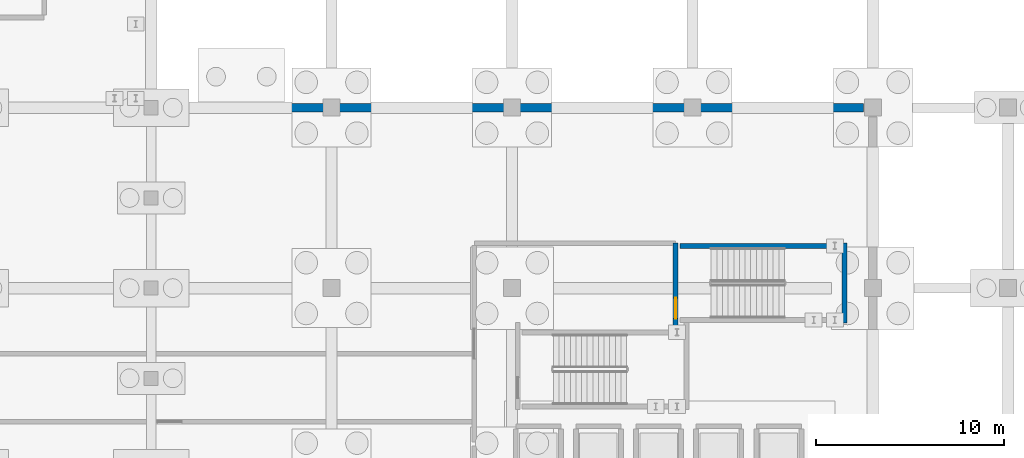
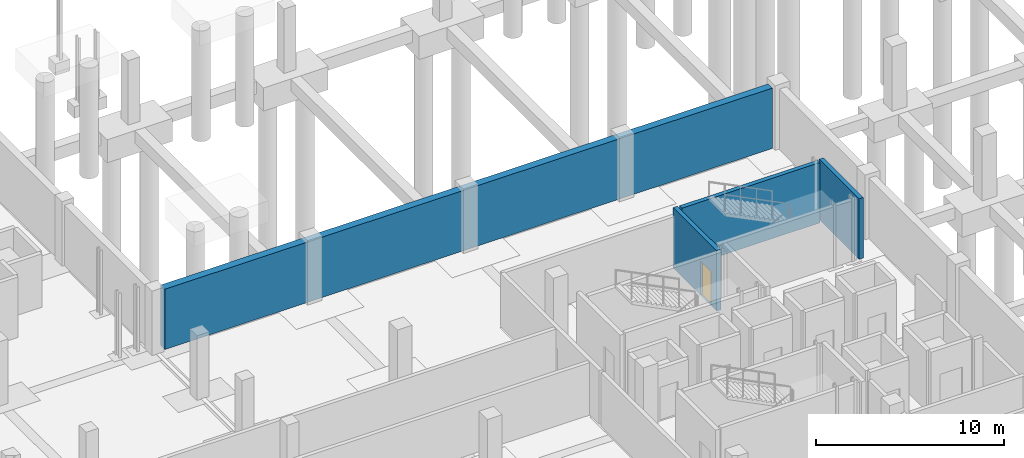
# One storey, part 44 of 54: 4 walls, 1 door, 1 opening.
"""IFC4 building model written with IfcOpenShell, lengths in metres."""

from ifc_helpers import new_model, si_unit, direction, frame, frame_2d, origin, place, context, subcontext, project, spatial, rectangle, extrude, material, layer, layer_set, type_object, element, fill, save


model = new_model("IFC4")

# Units and contexts
model_context = context("Model", 3, precision=1e-05, world=origin(), true_north=direction((0.0, 1.0)))
body_context = subcontext(model_context, "Body", "Model", "MODEL_VIEW")
ifc_project = project(units=[si_unit("LENGTHUNIT", "METRE"), si_unit("AREAUNIT", "SQUARE_METRE"), si_unit("VOLUMEUNIT", "CUBIC_METRE"), si_unit("PLANEANGLEUNIT", "RADIAN"), si_unit("MASSUNIT", "GRAM", prefix="KILO")], contexts=[model_context])

# Site, building, storey
site_placement = place(None, origin())
site = spatial("IfcSite", under=ifc_project, at=site_placement, CompositionType="ELEMENT")
building_placement = place(site_placement, origin())
building = spatial("IfcBuilding", under=site, at=building_placement, Name="Zevrakil Square Congress Hotel", CompositionType="ELEMENT")
storey_placement = place(building_placement, frame((0.0, 0.0, -8.39990234375)))
storey = spatial("IfcBuildingStorey", under=building, at=storey_placement, Name="B2", CompositionType="ELEMENT", Elevation=-8.39990234375)

# Wall
ifc_material_1 = material(Name="Concrete C40/50", Category="concrete")
ifc_layer_1 = layer(ifc_material_1, 0.449951171875)
ifc_layer_set_1 = layer_set([ifc_layer_1], Name="Concrete C40/50")
wall_type_1 = type_object("IfcWallType", Name="WAL-RET-450", PredefinedType="SOLIDWALL", material=ifc_layer_set_1)
wall_1_placement = place(storey_placement, frame((155.5, 45.60009765625, 0.0), z_axis=(0.0, 0.0, 1.0), x_axis=(-1.0, 0.0, 0.0)))
element("IfcWall", 1, at=wall_1_placement, inside=storey, type_object=wall_type_1, Name="B2 perimeter concrete retaining wall 3", PredefinedType="SOLIDWALL", context=body_context, shape_type="SweptSolid", body=[
    extrude(rectangle(XDim=37.39990234375, YDim=0.449951171875, at=frame_2d((18.699951171875, 0.0))), origin(), (0.0, 0.0, 1.0), 3.929931640625),
])

# Wall, opening, door
ifc_material_2 = material(Name="Concrete C40/50", Category="concrete")
ifc_layer_2 = layer(ifc_material_2, 0.260009765625)
ifc_layer_set_2 = layer_set([ifc_layer_2], Name="Concrete C40/50")
wall_type_2 = type_object("IfcWallType", Name="WAL-SHAFT-260", PredefinedType="SHEAR", material=ifc_layer_set_2)
wall_2_placement = place(storey_placement, frame((145.5048828125, 33.764892578125, 0.0), z_axis=(0.0, 0.0, 1.0), x_axis=(0.0, 1.0, 0.0)))
wall_2 = element("IfcWall", 2, at=wall_2_placement, inside=storey, type_object=wall_type_2, Name="B2 ST03 stair shaft W wall", PredefinedType="SHEAR", context=body_context, shape_type="SweptSolid", body=[
    extrude(rectangle(XDim=4.64501953125, YDim=0.260009765625, at=frame_2d((2.322509765625, 0.0))), origin(), (0.0, 0.0, 1.0), 3.929931640625),
])
opening_placement = place(wall_2_placement, frame((0.610107421875, 0.0, 0.0)))
opening = element("IfcOpeningElement", 3, at=opening_placement, cuts=wall_2, Name="Opening SD-ST03", PredefinedType="OPENING", context=body_context, shape_type="SweptSolid", body=[
    extrude(rectangle(XDim=1.10009765625, YDim=2.199951171875, at=frame_2d((0.550048828125, 1.10009765625))), frame((0.0, 0.14013671875, 0.0), z_axis=(0.0, -1.0, 0.0), x_axis=(1.0, 0.0, 0.0)), (0.0, 0.0, 1.0), 0.280029296875),
])
ifc_material_3 = material(Name="Steel S355 Fire-Rated Door", Category="steel")
door_type = type_object("IfcDoorType", Name="DOR-STAIR-FD90-110", OperationType="NOTDEFINED", PredefinedType="DOOR", material=ifc_material_3)
door_placement = place(opening_placement, origin())
door = element("IfcDoor", 4, at=door_placement, inside=storey, type_object=door_type, Name="B2 ST03 protected stair fire door", OperationType="SINGLE_SWING_RIGHT", OverallHeight=2.199951171875, OverallWidth=1.10009765625, PredefinedType="DOOR", context=body_context, shape_type="SweptSolid", body=[
    extrude(rectangle(XDim=1.10009765625, YDim=2.199951171875, at=frame_2d((0.550048828125, 1.10009765625))), frame((0.0, 0.02490234375, 0.0), z_axis=(0.0, -1.0, 0.0), x_axis=(1.0, 0.0, 0.0)), (0.0, 0.0, 1.0), 0.050048828125),
])
fill(opening, door)

# Walls
wall_3_placement = place(storey_placement, frame((154.4951171875, 34.139892578125, 0.0), z_axis=(0.0, 0.0, 1.0), x_axis=(0.0, 1.0, 0.0)))
element("IfcWall", 5, at=wall_3_placement, inside=storey, type_object=wall_type_2, Name="B2 ST03 stair shaft E wall", PredefinedType="SHEAR", context=body_context, shape_type="SweptSolid", body=[
    extrude(rectangle(XDim=4.27001953125, YDim=0.260009765625, at=frame_2d((2.135009765625, 0.0))), origin(), (0.0, 0.0, 1.0), 3.929931640625),
])
wall_4_placement = place(storey_placement, frame((145.739990234375, 38.2451171875, 0.0), z_axis=(0.0, 0.0, 1.0), x_axis=(1.0, 0.0, 0.0)))
element("IfcWall", 6, at=wall_4_placement, inside=storey, type_object=wall_type_2, Name="B2 ST03 stair shaft N wall", PredefinedType="SHEAR", context=body_context, shape_type="SweptSolid", body=[
    extrude(rectangle(XDim=8.52001953125, YDim=0.260009765625, at=frame_2d((4.260009765625, 0.0))), origin(), (0.0, 0.0, 1.0), 3.929931640625),
])

save(model, "model.ifc")
